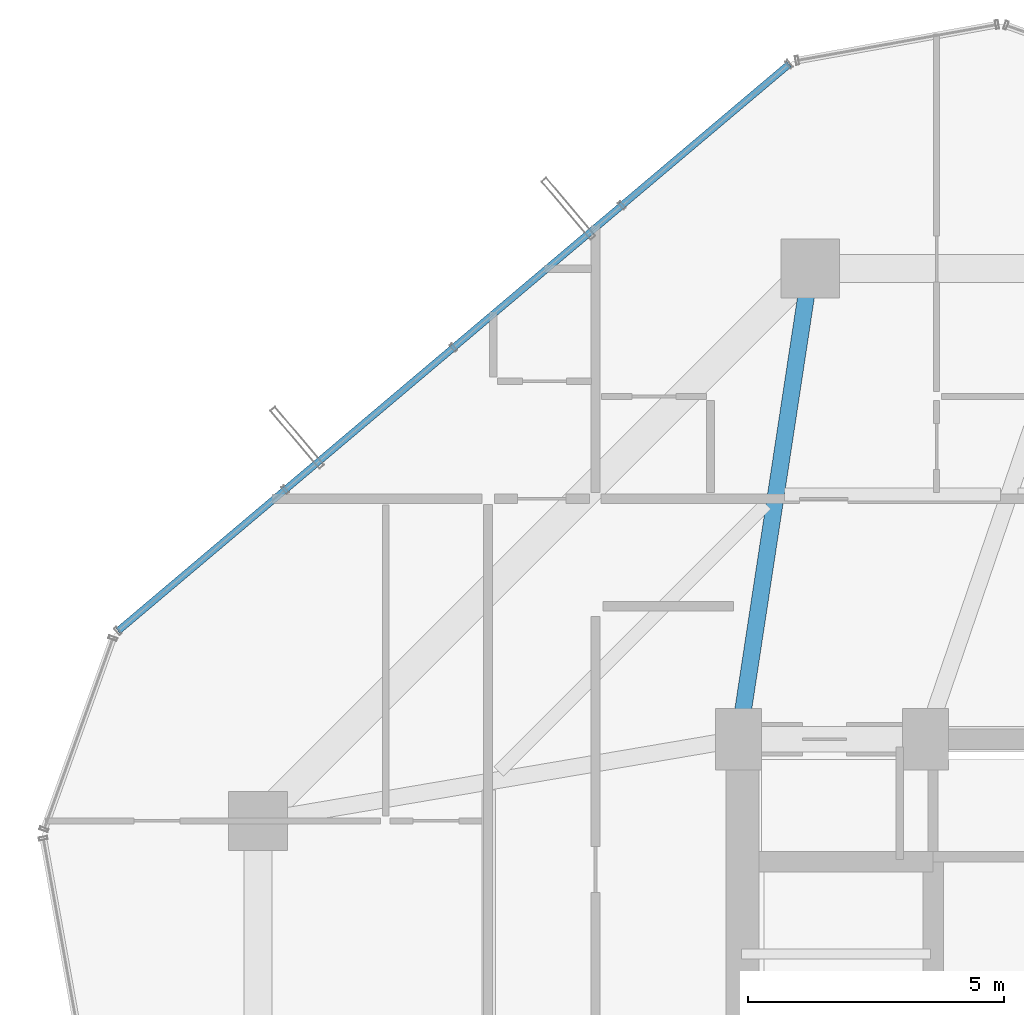
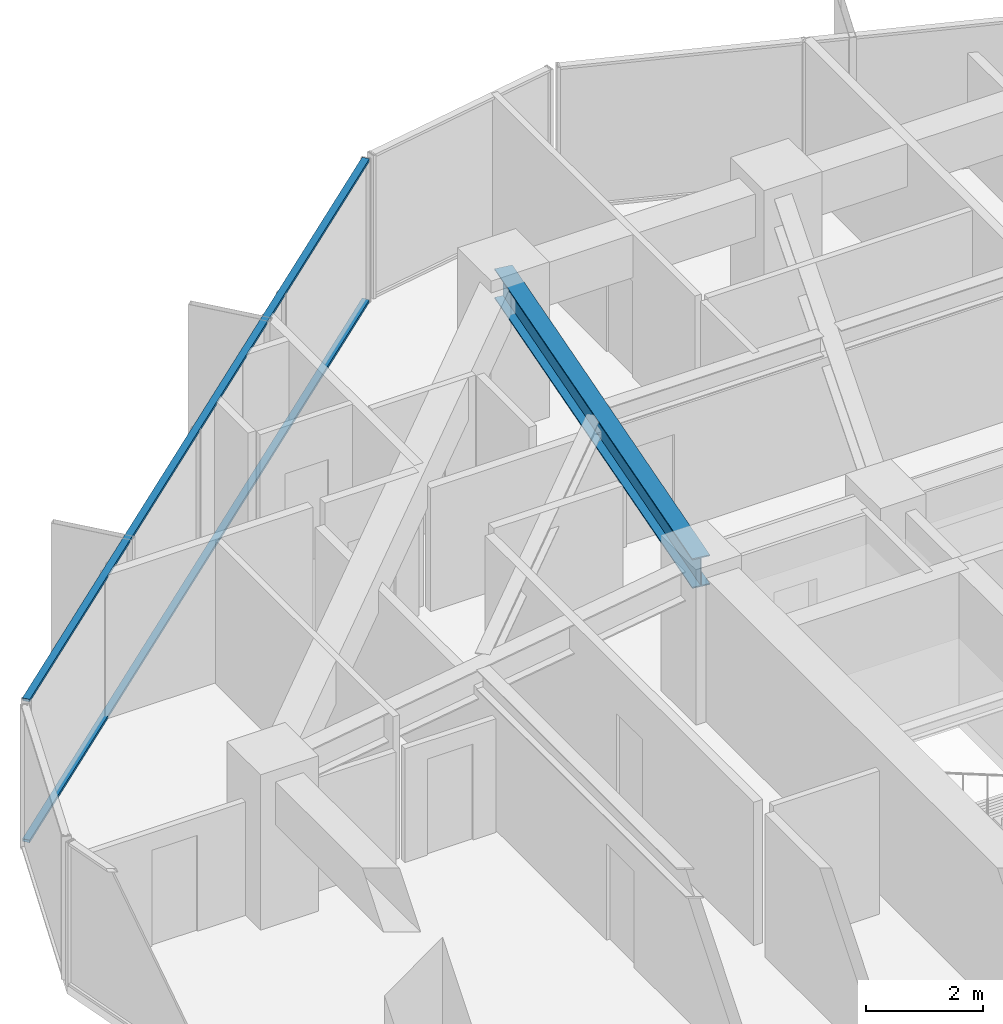
# One storey, part 22 of 36: 2 members, 1 beam, 1 element without a shape of its own.
"""IFC4 building model written with IfcOpenShell, lengths in metres."""

from ifc_helpers import new_model, si_unit, direction, frame, origin, origin_2d, place, context, subcontext, project, spatial, hollow_rectangle, i_section, extrude, source, transform, mapped, material, layer, layer_set, material_profile, profile_set, type_object, element, aggregate, save


model = new_model("IFC4")

# Units and contexts
model_context = context("Model", 3, precision=1e-05, world=origin(), true_north=direction((0.0, 1.0)))
body_context = subcontext(model_context, "Body", "Model", "MODEL_VIEW")
ifc_project = project(units=[si_unit("LENGTHUNIT", "METRE"), si_unit("AREAUNIT", "SQUARE_METRE"), si_unit("VOLUMEUNIT", "CUBIC_METRE"), si_unit("PLANEANGLEUNIT", "RADIAN"), si_unit("MASSUNIT", "GRAM", prefix="KILO")], contexts=[model_context])

# Site, building, storey
site_placement = place(None, origin())
site = spatial("IfcSite", under=ifc_project, at=site_placement, CompositionType="ELEMENT")
building_placement = place(site_placement, origin())
building = spatial("IfcBuilding", under=site, at=building_placement, Name="Veraguas Prism Commons", CompositionType="ELEMENT")
storey_placement = place(building_placement, frame((0.0, 0.0, 163.050048828125)))
storey = spatial("IfcBuildingStorey", under=building, at=storey_placement, Name="L46", CompositionType="ELEMENT", Elevation=163.050048828125)

# Beam
ifc_material_1 = material(Name="Steel ASTM A992 Grade 50", Category="steel")
ifc_material_profile_1 = material_profile(ifc_material_1, i_section(OverallWidth=0.327880859375, OverallDepth=0.6220703125, WebThickness=0.015380859375, FlangeThickness=0.0244140625, at=origin_2d()), Name="W610X195")
ifc_profile_set_1 = profile_set([ifc_material_profile_1], Name="Steel ASTM A992 Grade 50")
beam_type = type_object("IfcBeamType", Name="Zone 2 Radial Girder W610x195", PredefinedType="BEAM", material=ifc_profile_set_1)
beam_placement = place(storey_placement, frame((18.60009765625, 40.199951171875, 2.68896484375), z_axis=(-0.150458162136, -0.98861637729, 0.0), x_axis=(0.98861637729, -0.150458162136, 0.0)))
element("IfcBeam", 1, at=beam_placement, inside=storey, type_object=beam_type, Name="Radial Floor Girder L46-RD06", PredefinedType="BEAM", context=body_context, shape_type="SweptSolid", body=[
    extrude(i_section(OverallWidth=0.327880859375, OverallDepth=0.6220703125, WebThickness=0.015380859375, FlangeThickness=0.0244140625, at=origin_2d()), origin(), (0.0, 0.0, 1.0), 9.305908203125),
])

# Curtain wall, members
ifc_material_2 = material(Name="Anodised aluminium EN AW-6063 T6", Category="aluminium")
ifc_layer = layer(ifc_material_2, 0.169921875, Name="Unitised Flush Curtain Wall Zone 2", Category="aluminium")
ifc_layer_set = layer_set([ifc_layer], Name="Anodised aluminium EN AW-6063 T6")
curtain_wall_type = type_object("IfcCurtainWallType", Name="Unitised Flush Curtain Wall Zone 2", PredefinedType="NOTDEFINED", material=ifc_layer_set)
curtain_wall_placement = place(storey_placement, origin())
curtain_wall = element("IfcCurtainWall", 2, at=curtain_wall_placement, inside=storey, type_object=curtain_wall_type, Name="Tower Facade Curtain Wall L46-F2", PredefinedType="NOTDEFINED")
ifc_material_profile_2 = material_profile(ifc_material_2, hollow_rectangle(XDim=0.054931640625, YDim=0.135009765625, WallThickness=0.0029296875, at=origin_2d()), Name="AL55X135X3")
ifc_profile_set_2 = profile_set([ifc_material_profile_2], Name="Anodised aluminium EN AW-6063 T6")
member_type = type_object("IfcMemberType", Name="Curtain Wall Transom Standard AL 55x135x3", PredefinedType="USERDEFINED", material=ifc_profile_set_2)
shared_shape = source(origin(), body_context, "Body", "SweptSolid", [
    extrude(hollow_rectangle(XDim=0.054931640625, YDim=0.135009765625, WallThickness=0.0029296875, at=origin_2d()), origin(), (0.0, 0.0, 1.0), 17.174560546875),
])
member_1_placement = place(storey_placement, frame((18.1845703125, 44.1962890625, 0.02734375), z_axis=(-0.764025400068, -0.645186165421, 0.0), x_axis=(0.0, 0.0, 1.0)))
member_1 = element("IfcMember", 3, at=member_1_placement, type_object=member_type, Name="CW-Z2 Transom 1", ObjectType="TRANSOM", PredefinedType="USERDEFINED", context=body_context, shape_type="MappedRepresentation", body=[
    mapped(shared_shape, transform((0.0, 0.0, 0.0), scale=1.0)),
])
member_2_placement = place(storey_placement, frame((18.1845703125, 44.1962890625, 2.972412109375), z_axis=(-0.764025400068, -0.645186165421, 0.0), x_axis=(0.0, 0.0, 1.0)))
member_2 = element("IfcMember", 4, at=member_2_placement, type_object=member_type, Name="CW-Z2 Transom 2", ObjectType="TRANSOM", PredefinedType="USERDEFINED", context=body_context, shape_type="MappedRepresentation", body=[
    mapped(shared_shape, transform((0.0, 0.0, 0.0), scale=1.0)),
])
aggregate(curtain_wall, [member_1, member_2])

save(model, "model.ifc")
